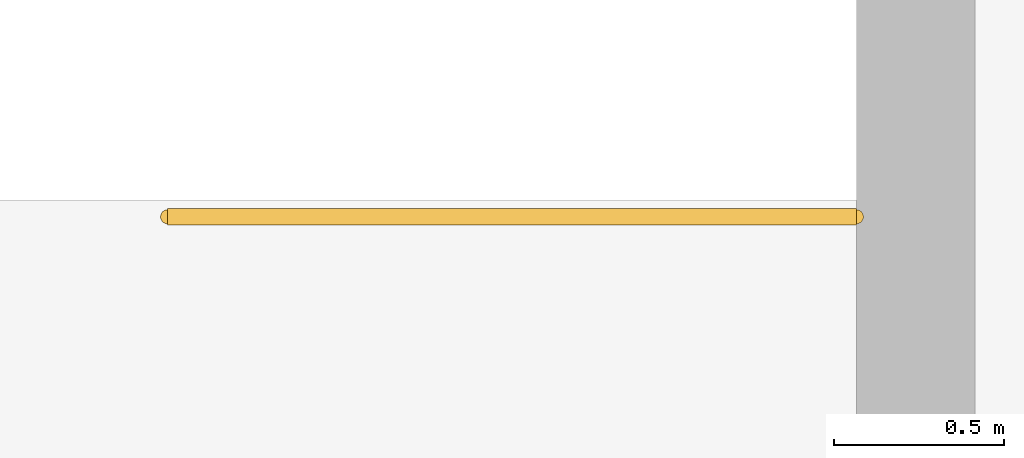
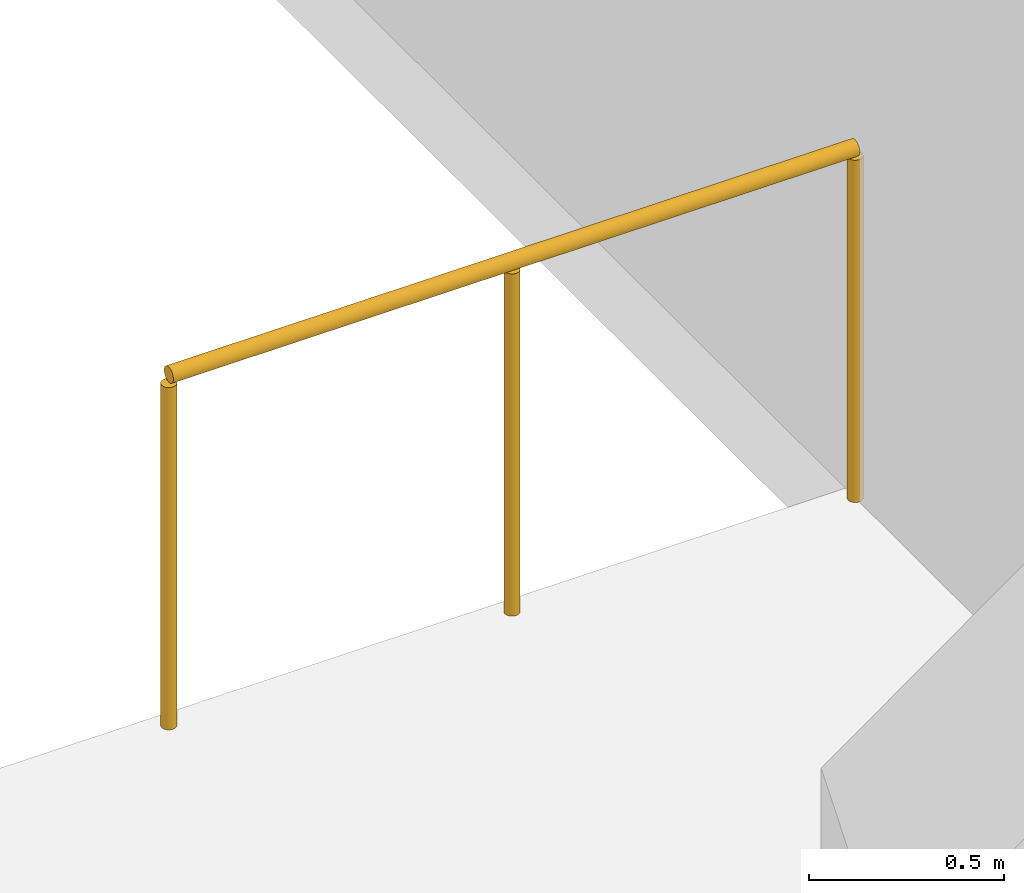
# One storey, part 119 of 119: 1 railing.
"""IFC4 building model written with IfcOpenShell, lengths in metres."""

import ifcopenshell
import ifcopenshell.guid

model = None  # the IFC model being written
_history = None  # IfcOwnerHistory: only IFC2X3 demands one
_inside = {}  # id of a spatial element -> (the spatial element, [elements in it])
_under = {}  # id of a project, library or spatial element -> (it, [spatial elements below it])
_declared = {}  # id of a project -> (the project, [libraries it declares])
_typed = {}  # id of a type object -> (the type object, [elements of that type])
_made_of = {}  # id of a material, layer set ... -> (it, [elements and type objects made of it])


def new_model(schema):
    """Start an empty IFC model of exactly this schema.

    Asked for "IFC4X3", IfcOpenShell would pick the latest addendum, in which some entities
    have other attributes; the version numbers below select the first issue.
    IFC2X3 requires an IfcOwnerHistory on every rooted entity: one is made here for all.
    """
    global model, _history
    if schema == "IFC4X3":
        model = ifcopenshell.file(schema_version=(4, 3, 0, 0))
    else:
        model = ifcopenshell.file(schema=schema)
    _inside.clear()
    _under.clear()
    _declared.clear()
    _typed.clear()
    _made_of.clear()
    _history = None
    if model.schema == "IFC2X3":
        org = make("IfcOrganization", Name="unknown")
        user = make(
            "IfcPersonAndOrganization",
            ThePerson=make("IfcPerson", FamilyName="unknown"),
            TheOrganization=org,
        )
        app = make(
            "IfcApplication",
            ApplicationDeveloper=org,
            Version="unknown",
            ApplicationFullName="unknown",
            ApplicationIdentifier="unknown",
        )
        _history = make(
            "IfcOwnerHistory",
            OwningUser=user,
            OwningApplication=app,
            ChangeAction="ADDED",
            CreationDate=0,
        )
    return model


def make(cls, **values):
    """One entity of the class cls with the attributes given. An attribute that is None is left unset."""
    return model.create_entity(
        cls, **{name: value for name, value in values.items() if value is not None}
    )


def rooted(cls, **values):
    """An entity with a GlobalId (a new one), such as an element, a storey or a relation."""
    return make(cls, GlobalId=ifcopenshell.guid.new(), OwnerHistory=_history, **values)


def si_unit(unit_type, name, prefix=None):
    """IfcSIUnit, for example si_unit("LENGTHUNIT", "METRE", prefix="MILLI")."""
    return make("IfcSIUnit", UnitType=unit_type, Prefix=prefix, Name=name)


def assignment(units):
    """IfcUnitAssignment: the units of a project."""
    return None if units is None else make("IfcUnitAssignment", Units=units)


def point(xyz):
    """IfcCartesianPoint."""
    return None if xyz is None else make("IfcCartesianPoint", Coordinates=xyz)


def direction(xyz):
    """IfcDirection."""
    return None if xyz is None else make("IfcDirection", DirectionRatios=xyz)


def frame(location, z_axis=None, x_axis=None):
    """IfcAxis2Placement3D, a coordinate frame: its origin and axes. An axis left out is left unset."""
    return make(
        "IfcAxis2Placement3D",
        Location=point(location),
        Axis=direction(z_axis),
        RefDirection=direction(x_axis),
    )


def frame_2d(location, x_axis=None):
    """IfcAxis2Placement2D, a coordinate frame in the plane: its origin and x axis."""
    return make(
        "IfcAxis2Placement2D", Location=point(location), RefDirection=direction(x_axis)
    )


def origin():
    """The frame at (0, 0, 0) with its axes left unset."""
    return frame((0.0, 0.0, 0.0))


def origin_2d():
    """The frame at (0, 0) in the plane with its x axis left unset."""
    return frame_2d((0.0, 0.0))


def place(relative_to, where):
    """IfcLocalPlacement: puts the frame where relative to a parent placement (None: the world)."""
    return make(
        "IfcLocalPlacement", PlacementRelTo=relative_to, RelativePlacement=where
    )


def context(
    kind, dimensions, precision=None, world=None, true_north=None, identifier=None
):
    """IfcGeometricRepresentationContext, for example the 3D "Model" context."""
    return make(
        "IfcGeometricRepresentationContext",
        ContextIdentifier=identifier,
        ContextType=kind,
        CoordinateSpaceDimension=dimensions,
        Precision=precision,
        WorldCoordinateSystem=world,
        TrueNorth=true_north,
    )


def subcontext(parent, identifier, kind, view, scale=None):
    """IfcGeometricRepresentationSubContext, for example "Body" below "Model"."""
    return make(
        "IfcGeometricRepresentationSubContext",
        ContextIdentifier=identifier,
        ContextType=kind,
        ParentContext=parent,
        TargetScale=scale,
        TargetView=view,
    )


def project(units=None, contexts=None):
    """IfcProject with its units and contexts."""
    return rooted(
        "IfcProject",
        Name="project",
        RepresentationContexts=contexts,
        UnitsInContext=assignment(units),
    )


def spatial(cls, under=None, at=None, **own):
    """A site, building, storey or space (cls), placed at a placement, below another one or the project."""
    s = rooted(cls, ObjectPlacement=at, **own)
    if under is not None:
        _under.setdefault(under.id(), (under, []))[1].append(s)
    return s


def profile(cls, at=None, kind="AREA", **sizes):
    """A parametric profile (cls). Its sizes go by their IFC names, for example OverallWidth=200.0."""
    return make(cls, ProfileType=kind, Position=at, **sizes)


def circle(**sizes):
    """IfcCircleProfileDef."""
    return profile("IfcCircleProfileDef", **sizes)


def extrude(swept, where, along, depth):
    """IfcExtrudedAreaSolid: the profile swept, set in the frame where, extruded along a direction by depth."""
    return make(
        "IfcExtrudedAreaSolid",
        SweptArea=swept,
        Position=where,
        ExtrudedDirection=direction(along),
        Depth=depth,
    )


def shape(context_of_items, identifier, shape_type, items):
    """IfcShapeRepresentation: the items that make up one representation, for example the "Body"."""
    return make(
        "IfcShapeRepresentation",
        ContextOfItems=context_of_items,
        RepresentationIdentifier=identifier,
        RepresentationType=shape_type,
        Items=items,
    )


def material(Name=None, Category=None):
    """IfcMaterial."""
    return make("IfcMaterial", Name=Name, Category=Category)


def made_of(thing, what):
    """Note that an element or type object is made of a material, layer set ...; save() writes the relation."""
    if what is not None:
        _made_of.setdefault(what.id(), (what, []))[1].append(thing)
    return thing


def type_object(cls, material=None, **own):
    """A type object (cls), such as IfcWallType, which elements share."""
    return made_of(rooted(cls, **own), material)


def element(
    cls,
    number,
    at=None,
    inside=None,
    cuts=None,
    type_object=None,
    material=None,
    context=None,
    identifier="Body",
    shape_type=None,
    held_by="IfcProductDefinitionShape",
    body=None,
    shapes=None,
    **own,
):
    """One element of the class cls, such as IfcWall. Its Tag is "e" and its number.

    at: its placement. inside: the storey or other place that contains it. cuts: it is an
    opening in that element (IfcRelVoidsElement). A single representation is given by context,
    identifier, shape_type and body (its items); several are given by shapes. held_by: the class
    of the entity that holds the representations. save() writes the other relations.
    """
    e = rooted(cls, Tag="e%d" % number, ObjectPlacement=at, **own)
    if body is not None:
        shapes = [shape(context, identifier, shape_type, body)]
    if shapes is not None:
        e.Representation = make(held_by, Representations=shapes)
    if inside is not None:
        _inside.setdefault(inside.id(), (inside, []))[1].append(e)
    if cuts is not None:
        rooted(
            "IfcRelVoidsElement", RelatingBuildingElement=cuts, RelatedOpeningElement=e
        )
    if type_object is not None:
        _typed.setdefault(type_object.id(), (type_object, []))[1].append(e)
    return made_of(e, material)


def aggregate(whole, parts):
    """IfcRelAggregates: a whole, such as a stair, and the parts it consists of."""
    return rooted("IfcRelAggregates", RelatingObject=whole, RelatedObjects=parts)


def save(model, path):
    """Write the relations noted so far, then the file.

    IfcRelAggregates (storeys below a building ...), IfcRelContainedInSpatialStructure (elements
    in a storey), IfcRelDefinesByType, IfcRelAssociatesMaterial and IfcRelDeclares: one each for
    every whole, place, type object, material and project.
    """
    for whole, parts in _under.values():
        aggregate(whole, parts)
    for where, things in _inside.values():
        rooted(
            "IfcRelContainedInSpatialStructure",
            RelatedElements=things,
            RelatingStructure=where,
        )
    for kind, things in _typed.values():
        rooted("IfcRelDefinesByType", RelatedObjects=things, RelatingType=kind)
    for what, things in _made_of.values():
        rooted("IfcRelAssociatesMaterial", RelatedObjects=things, RelatingMaterial=what)
    for by, libraries in _declared.values():
        rooted("IfcRelDeclares", RelatingContext=by, RelatedDefinitions=libraries)
    model.write(path)


model = new_model("IFC4")

# Units and contexts
model_context = context("Model", 3, precision=1e-05, world=origin(), true_north=direction((0.0, 1.0)))
body_context = subcontext(model_context, "Body", "Model", "MODEL_VIEW")
ifc_project = project(units=[si_unit("LENGTHUNIT", "METRE"), si_unit("AREAUNIT", "SQUARE_METRE"), si_unit("VOLUMEUNIT", "CUBIC_METRE"), si_unit("PLANEANGLEUNIT", "RADIAN"), si_unit("MASSUNIT", "GRAM", prefix="KILO")], contexts=[model_context])

# Site, building, storey
site_placement = place(None, origin())
site = spatial("IfcSite", under=ifc_project, at=site_placement, CompositionType="ELEMENT")
building_placement = place(site_placement, origin())
building = spatial("IfcBuilding", under=site, at=building_placement, Name="Qamarlyn Nura Convention Centre", CompositionType="ELEMENT")
storey_placement = place(building_placement, frame((0.0, 0.0, 5.39990234375)))
storey = spatial("IfcBuildingStorey", under=building, at=storey_placement, Name="L01", CompositionType="ELEMENT", Elevation=5.39990234375)

# Railing
ifc_material = material(Name="Marine Grade 316 stainless steel", Category="steel")
railing_type = type_object("IfcRailingType", Name="GRD-STAIR-112", PredefinedType="BALUSTRADE", material=ifc_material)
railing_placement = place(storey_placement, frame((190.199951171875, 113.300048828125, 0.0)))
element("IfcRailing", 1, at=railing_placement, inside=storey, type_object=railing_type, Name="L01 ST-VOM6 top well guard 1", PredefinedType="BALUSTRADE", context=body_context, shape_type="SweptSolid", body=[
    extrude(circle(Radius=0.02392578125, at=origin_2d()), frame((0.0, 0.0, 1.09619140625), z_axis=(-1.0, 0.0, 0.0), x_axis=(0.0, -1.0, 0.0)), (0.0, 0.0, 1.0), 2.030029296875),
    extrude(circle(Radius=0.02099609375, at=origin_2d()), origin(), (0.0, 0.0, 1.0), 1.070068359375),
    extrude(circle(Radius=0.02099609375, at=origin_2d()), frame((-1.01513671875, 0.0, 0.0)), (0.0, 0.0, 1.0), 1.070068359375),
    extrude(circle(Radius=0.02099609375, at=origin_2d()), frame((-2.030029296875, 0.0, 0.0)), (0.0, 0.0, 1.0), 1.070068359375),
])

save(model, "model.ifc")
